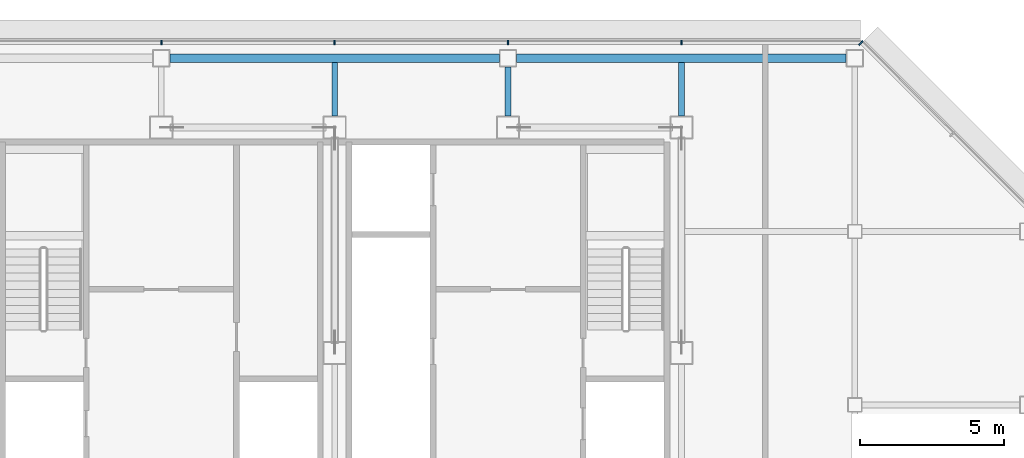
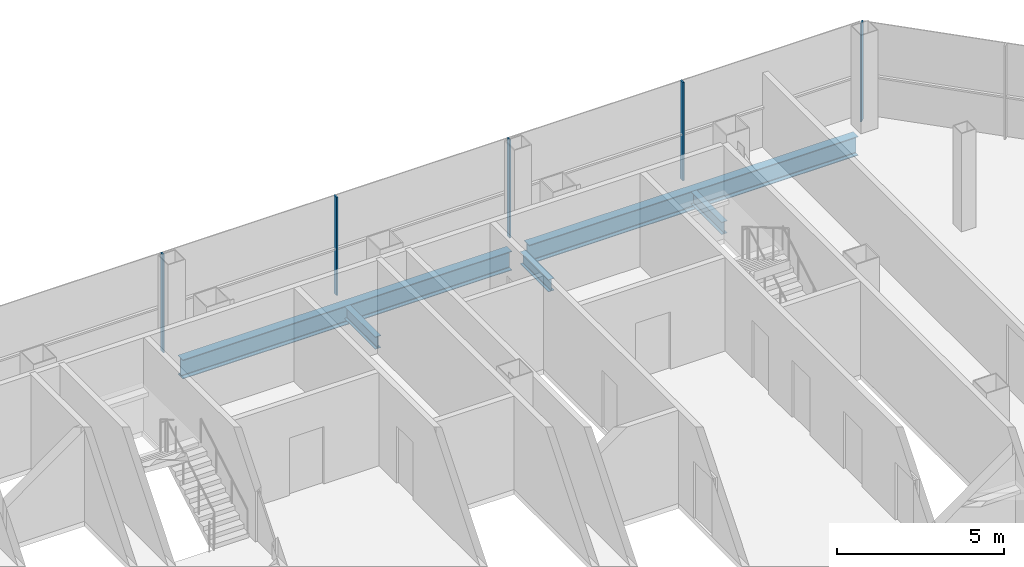
# One storey, part 16 of 28: 5 beams, 5 members, 2 elements without a shape of their own.
"""IFC4 building model written with IfcOpenShell, lengths in metres."""

import ifcopenshell
import ifcopenshell.guid

model = None  # the IFC model being written
_history = None  # IfcOwnerHistory: only IFC2X3 demands one
_inside = {}  # id of a spatial element -> (the spatial element, [elements in it])
_under = {}  # id of a project, library or spatial element -> (it, [spatial elements below it])
_declared = {}  # id of a project -> (the project, [libraries it declares])
_typed = {}  # id of a type object -> (the type object, [elements of that type])
_made_of = {}  # id of a material, layer set ... -> (it, [elements and type objects made of it])


def new_model(schema):
    """Start an empty IFC model of exactly this schema.

    Asked for "IFC4X3", IfcOpenShell would pick the latest addendum, in which some entities
    have other attributes; the version numbers below select the first issue.
    IFC2X3 requires an IfcOwnerHistory on every rooted entity: one is made here for all.
    """
    global model, _history
    if schema == "IFC4X3":
        model = ifcopenshell.file(schema_version=(4, 3, 0, 0))
    else:
        model = ifcopenshell.file(schema=schema)
    _inside.clear()
    _under.clear()
    _declared.clear()
    _typed.clear()
    _made_of.clear()
    _history = None
    if model.schema == "IFC2X3":
        org = make("IfcOrganization", Name="unknown")
        user = make(
            "IfcPersonAndOrganization",
            ThePerson=make("IfcPerson", FamilyName="unknown"),
            TheOrganization=org,
        )
        app = make(
            "IfcApplication",
            ApplicationDeveloper=org,
            Version="unknown",
            ApplicationFullName="unknown",
            ApplicationIdentifier="unknown",
        )
        _history = make(
            "IfcOwnerHistory",
            OwningUser=user,
            OwningApplication=app,
            ChangeAction="ADDED",
            CreationDate=0,
        )
    return model


def make(cls, **values):
    """One entity of the class cls with the attributes given. An attribute that is None is left unset."""
    return model.create_entity(
        cls, **{name: value for name, value in values.items() if value is not None}
    )


def rooted(cls, **values):
    """An entity with a GlobalId (a new one), such as an element, a storey or a relation."""
    return make(cls, GlobalId=ifcopenshell.guid.new(), OwnerHistory=_history, **values)


def si_unit(unit_type, name, prefix=None):
    """IfcSIUnit, for example si_unit("LENGTHUNIT", "METRE", prefix="MILLI")."""
    return make("IfcSIUnit", UnitType=unit_type, Prefix=prefix, Name=name)


def assignment(units):
    """IfcUnitAssignment: the units of a project."""
    return None if units is None else make("IfcUnitAssignment", Units=units)


def point(xyz):
    """IfcCartesianPoint."""
    return None if xyz is None else make("IfcCartesianPoint", Coordinates=xyz)


def direction(xyz):
    """IfcDirection."""
    return None if xyz is None else make("IfcDirection", DirectionRatios=xyz)


def frame(location, z_axis=None, x_axis=None):
    """IfcAxis2Placement3D, a coordinate frame: its origin and axes. An axis left out is left unset."""
    return make(
        "IfcAxis2Placement3D",
        Location=point(location),
        Axis=direction(z_axis),
        RefDirection=direction(x_axis),
    )


def frame_2d(location, x_axis=None):
    """IfcAxis2Placement2D, a coordinate frame in the plane: its origin and x axis."""
    return make(
        "IfcAxis2Placement2D", Location=point(location), RefDirection=direction(x_axis)
    )


def origin():
    """The frame at (0, 0, 0) with its axes left unset."""
    return frame((0.0, 0.0, 0.0))


def origin_2d():
    """The frame at (0, 0) in the plane with its x axis left unset."""
    return frame_2d((0.0, 0.0))


def place(relative_to, where):
    """IfcLocalPlacement: puts the frame where relative to a parent placement (None: the world)."""
    return make(
        "IfcLocalPlacement", PlacementRelTo=relative_to, RelativePlacement=where
    )


def context(
    kind, dimensions, precision=None, world=None, true_north=None, identifier=None
):
    """IfcGeometricRepresentationContext, for example the 3D "Model" context."""
    return make(
        "IfcGeometricRepresentationContext",
        ContextIdentifier=identifier,
        ContextType=kind,
        CoordinateSpaceDimension=dimensions,
        Precision=precision,
        WorldCoordinateSystem=world,
        TrueNorth=true_north,
    )


def subcontext(parent, identifier, kind, view, scale=None):
    """IfcGeometricRepresentationSubContext, for example "Body" below "Model"."""
    return make(
        "IfcGeometricRepresentationSubContext",
        ContextIdentifier=identifier,
        ContextType=kind,
        ParentContext=parent,
        TargetScale=scale,
        TargetView=view,
    )


def project(units=None, contexts=None):
    """IfcProject with its units and contexts."""
    return rooted(
        "IfcProject",
        Name="project",
        RepresentationContexts=contexts,
        UnitsInContext=assignment(units),
    )


def spatial(cls, under=None, at=None, **own):
    """A site, building, storey or space (cls), placed at a placement, below another one or the project."""
    s = rooted(cls, ObjectPlacement=at, **own)
    if under is not None:
        _under.setdefault(under.id(), (under, []))[1].append(s)
    return s


def profile(cls, at=None, kind="AREA", **sizes):
    """A parametric profile (cls). Its sizes go by their IFC names, for example OverallWidth=200.0."""
    return make(cls, ProfileType=kind, Position=at, **sizes)


def rectangle(**sizes):
    """IfcRectangleProfileDef."""
    return profile("IfcRectangleProfileDef", **sizes)


def i_section(**sizes):
    """IfcIShapeProfileDef."""
    return profile("IfcIShapeProfileDef", **sizes)


def extrude(swept, where, along, depth):
    """IfcExtrudedAreaSolid: the profile swept, set in the frame where, extruded along a direction by depth."""
    return make(
        "IfcExtrudedAreaSolid",
        SweptArea=swept,
        Position=where,
        ExtrudedDirection=direction(along),
        Depth=depth,
    )


def shape(context_of_items, identifier, shape_type, items):
    """IfcShapeRepresentation: the items that make up one representation, for example the "Body"."""
    return make(
        "IfcShapeRepresentation",
        ContextOfItems=context_of_items,
        RepresentationIdentifier=identifier,
        RepresentationType=shape_type,
        Items=items,
    )


def material(Name=None, Category=None):
    """IfcMaterial."""
    return make("IfcMaterial", Name=Name, Category=Category)


def material_profile(
    of_material, cross_section, Name=None, Category=None, Priority=None
):
    """IfcMaterialProfile: a cross section and its material."""
    return make(
        "IfcMaterialProfile",
        Name=Name,
        Material=of_material,
        Profile=cross_section,
        Priority=Priority,
        Category=Category,
    )


def profile_set(profiles, Name=None, composite=None):
    """IfcMaterialProfileSet."""
    return make(
        "IfcMaterialProfileSet",
        Name=Name,
        MaterialProfiles=profiles,
        CompositeProfile=composite,
    )


def made_of(thing, what):
    """Note that an element or type object is made of a material, layer set ...; save() writes the relation."""
    if what is not None:
        _made_of.setdefault(what.id(), (what, []))[1].append(thing)
    return thing


def type_object(cls, material=None, **own):
    """A type object (cls), such as IfcWallType, which elements share."""
    return made_of(rooted(cls, **own), material)


def element(
    cls,
    number,
    at=None,
    inside=None,
    cuts=None,
    type_object=None,
    material=None,
    context=None,
    identifier="Body",
    shape_type=None,
    held_by="IfcProductDefinitionShape",
    body=None,
    shapes=None,
    **own,
):
    """One element of the class cls, such as IfcWall. Its Tag is "e" and its number.

    at: its placement. inside: the storey or other place that contains it. cuts: it is an
    opening in that element (IfcRelVoidsElement). A single representation is given by context,
    identifier, shape_type and body (its items); several are given by shapes. held_by: the class
    of the entity that holds the representations. save() writes the other relations.
    """
    e = rooted(cls, Tag="e%d" % number, ObjectPlacement=at, **own)
    if body is not None:
        shapes = [shape(context, identifier, shape_type, body)]
    if shapes is not None:
        e.Representation = make(held_by, Representations=shapes)
    if inside is not None:
        _inside.setdefault(inside.id(), (inside, []))[1].append(e)
    if cuts is not None:
        rooted(
            "IfcRelVoidsElement", RelatingBuildingElement=cuts, RelatedOpeningElement=e
        )
    if type_object is not None:
        _typed.setdefault(type_object.id(), (type_object, []))[1].append(e)
    return made_of(e, material)


def aggregate(whole, parts):
    """IfcRelAggregates: a whole, such as a stair, and the parts it consists of."""
    return rooted("IfcRelAggregates", RelatingObject=whole, RelatedObjects=parts)


def save(model, path):
    """Write the relations noted so far, then the file.

    IfcRelAggregates (storeys below a building ...), IfcRelContainedInSpatialStructure (elements
    in a storey), IfcRelDefinesByType, IfcRelAssociatesMaterial and IfcRelDeclares: one each for
    every whole, place, type object, material and project.
    """
    for whole, parts in _under.values():
        aggregate(whole, parts)
    for where, things in _inside.values():
        rooted(
            "IfcRelContainedInSpatialStructure",
            RelatedElements=things,
            RelatingStructure=where,
        )
    for kind, things in _typed.values():
        rooted("IfcRelDefinesByType", RelatedObjects=things, RelatingType=kind)
    for what, things in _made_of.values():
        rooted("IfcRelAssociatesMaterial", RelatedObjects=things, RelatingMaterial=what)
    for by, libraries in _declared.values():
        rooted("IfcRelDeclares", RelatingContext=by, RelatedDefinitions=libraries)
    model.write(path)


model = new_model("IFC4")

# Units and contexts
model_context = context("Model", 3, precision=1e-05, world=origin(), true_north=direction((0.0, 1.0)))
body_context = subcontext(model_context, "Body", "Model", "MODEL_VIEW")
ifc_project = project(units=[si_unit("LENGTHUNIT", "METRE"), si_unit("AREAUNIT", "SQUARE_METRE"), si_unit("VOLUMEUNIT", "CUBIC_METRE"), si_unit("PLANEANGLEUNIT", "RADIAN"), si_unit("MASSUNIT", "GRAM", prefix="KILO")], contexts=[model_context])

# Site, building, storey
site_placement = place(None, origin())
site = spatial("IfcSite", under=ifc_project, at=site_placement, CompositionType="ELEMENT")
building_placement = place(site_placement, origin())
building = spatial("IfcBuilding", under=site, at=building_placement, Name="Sorahane Residences", CompositionType="ELEMENT")
storey_placement = place(building_placement, frame((0.0, 0.0, 250.39990234375)))
storey = spatial("IfcBuildingStorey", under=building, at=storey_placement, Name="L59", CompositionType="ELEMENT", Elevation=250.39990234375)

# Curtain wall, members
ifc_material_1 = material(Name="Dark low-e glass and black anodised aluminium", Category="aluminium")
curtain_wall_type_1 = type_object("IfcCurtainWallType", Name="Curtain wall CW-1 Typical unitised wall", PredefinedType="NOTDEFINED", material=ifc_material_1)
curtain_wall_1_placement = place(storey_placement, origin())
curtain_wall_1 = element("IfcCurtainWall", 1, at=curtain_wall_1_placement, inside=storey, type_object=curtain_wall_type_1, Name="CW-1 curtain wall L59 N1", PredefinedType="NOTDEFINED")
ifc_material_2 = material(Name="Black anodised aluminium", Category="aluminium")
ifc_material_profile_1 = material_profile(ifc_material_2, rectangle(XDim=0.159912109375, YDim=0.050048828125, at=origin_2d()), Name="Curtain wall mullion CW-1 black anodised aluminium 50x160")
ifc_profile_set_1 = profile_set([ifc_material_profile_1], Name="Black anodised aluminium")
member_type_1 = type_object("IfcMemberType", Name="Curtain wall mullion CW-1 black anodised aluminium 50x160", PredefinedType="MULLION", material=ifc_profile_set_1)
member_1_placement = place(storey_placement, frame((42.0, 48.5400390625, -0.179931640625), z_axis=(0.0, 0.0, 1.0), x_axis=(0.0, 1.0, 0.0)))
member_1 = element("IfcMember", 2, at=member_1_placement, type_object=member_type_1, Name="CW-1 mullion L59 N1.2", PredefinedType="MULLION", context=body_context, shape_type="SweptSolid", body=[
    extrude(rectangle(XDim=0.159912109375, YDim=0.050048828125, at=origin_2d()), origin(), (0.0, 0.0, 1.0), 3.60009765625),
])
member_2_placement = place(storey_placement, frame((36.0, 48.5400390625, -0.179931640625), z_axis=(0.0, 0.0, 1.0), x_axis=(0.0, 1.0, 0.0)))
member_2 = element("IfcMember", 3, at=member_2_placement, type_object=member_type_1, Name="CW-1 mullion L59 N1.3", PredefinedType="MULLION", context=body_context, shape_type="SweptSolid", body=[
    extrude(rectangle(XDim=0.159912109375, YDim=0.050048828125, at=origin_2d()), origin(), (0.0, 0.0, 1.0), 3.60009765625),
])
member_3_placement = place(storey_placement, frame((30.0, 48.5400390625, -0.179931640625), z_axis=(0.0, 0.0, 1.0), x_axis=(0.0, 1.0, 0.0)))
member_3 = element("IfcMember", 4, at=member_3_placement, type_object=member_type_1, Name="CW-1 mullion L59 N1.4", PredefinedType="MULLION", context=body_context, shape_type="SweptSolid", body=[
    extrude(rectangle(XDim=0.159912109375, YDim=0.050048828125, at=origin_2d()), origin(), (0.0, 0.0, 1.0), 3.60009765625),
])
member_4_placement = place(storey_placement, frame((24.0, 48.5400390625, -0.179931640625), z_axis=(0.0, 0.0, 1.0), x_axis=(0.0, 1.0, 0.0)))
member_4 = element("IfcMember", 5, at=member_4_placement, type_object=member_type_1, Name="CW-1 mullion L59 N1.5", PredefinedType="MULLION", context=body_context, shape_type="SweptSolid", body=[
    extrude(rectangle(XDim=0.159912109375, YDim=0.050048828125, at=origin_2d()), origin(), (0.0, 0.0, 1.0), 3.60009765625),
])
aggregate(curtain_wall_1, [member_1, member_2, member_3, member_4])

# Curtain wall, member
ifc_material_3 = material(Name="Dark low-e glass and black anodised aluminium", Category="aluminium")
curtain_wall_type_2 = type_object("IfcCurtainWallType", Name="Curtain wall CW-2 Chamfer unitised wall", PredefinedType="NOTDEFINED", material=ifc_material_3)
curtain_wall_2_placement = place(storey_placement, origin())
curtain_wall_2 = element("IfcCurtainWall", 6, at=curtain_wall_2_placement, inside=storey, type_object=curtain_wall_type_2, Name="CW-2 curtain wall L59 NE1", PredefinedType="NOTDEFINED")
ifc_material_4 = material(Name="Black anodised aluminium", Category="aluminium")
ifc_material_profile_2 = material_profile(ifc_material_4, rectangle(XDim=0.199951171875, YDim=0.050048828125, at=origin_2d()), Name="Curtain wall mullion CW-2 black anodised aluminium 50x200")
ifc_profile_set_2 = profile_set([ifc_material_profile_2], Name="Black anodised aluminium")
member_type_2 = type_object("IfcMemberType", Name="Curtain wall mullion CW-2 black anodised aluminium 50x200", PredefinedType="MULLION", material=ifc_profile_set_2)
member_5_placement = place(storey_placement, frame((48.209716796875, 48.525634765625, -0.179931640625), z_axis=(0.0, 0.0, 1.0), x_axis=(0.707106781187, 0.707106781187, 0.0)))
member_5 = element("IfcMember", 7, at=member_5_placement, type_object=member_type_2, Name="CW-2 mullion L59 NE1.3", PredefinedType="MULLION", context=body_context, shape_type="SweptSolid", body=[
    extrude(rectangle(XDim=0.199951171875, YDim=0.050048828125, at=origin_2d()), origin(), (0.0, 0.0, 1.0), 3.60009765625),
])
aggregate(curtain_wall_2, [member_5])

# Beams
ifc_material_5 = material(Name="Steel Q355B", Category="steel")
ifc_material_profile_3 = material_profile(ifc_material_5, i_section(OverallWidth=0.199951171875, OverallDepth=0.449951171875, WebThickness=0.009033203125, FlangeThickness=0.013916015625, FilletRadius=0.02001953125, at=origin_2d()), Name="HN 450x200x9x14")
ifc_profile_set_3 = profile_set([ifc_material_profile_3], Name="Steel Q355B")
beam_type_1 = type_object("IfcBeamType", Name="Steel floor beam HN 450x200x9x14 Q355B", PredefinedType="BEAM", material=ifc_profile_set_3)
beam_1_placement = place(storey_placement, frame((30.0, 46.0, -0.40478515625), z_axis=(0.0, 1.0, 0.0), x_axis=(-1.0, 0.0, 0.0)))
element("IfcBeam", 8, at=beam_1_placement, inside=storey, type_object=beam_type_1, Name="Beam L59 049", PredefinedType="BEAM", context=body_context, shape_type="SweptSolid", body=[
    extrude(i_section(OverallWidth=0.199951171875, OverallDepth=0.449951171875, WebThickness=0.009033203125, FlangeThickness=0.013916015625, FilletRadius=0.02001953125, at=origin_2d()), origin(), (0.0, 0.0, 1.0), 1.85009765625),
])
beam_2_placement = place(storey_placement, frame((36.0, 46.0, -0.40478515625), z_axis=(0.0, 1.0, 0.0), x_axis=(-1.0, 0.0, 0.0)))
element("IfcBeam", 9, at=beam_2_placement, inside=storey, type_object=beam_type_1, Name="Beam L59 051", PredefinedType="BEAM", context=body_context, shape_type="SweptSolid", body=[
    extrude(i_section(OverallWidth=0.199951171875, OverallDepth=0.449951171875, WebThickness=0.009033203125, FlangeThickness=0.013916015625, FilletRadius=0.02001953125, at=origin_2d()), origin(), (0.0, 0.0, 1.0), 1.699951171875),
])
beam_3_placement = place(storey_placement, frame((42.0, 46.0, -0.40478515625), z_axis=(0.0, 1.0, 0.0), x_axis=(-1.0, 0.0, 0.0)))
element("IfcBeam", 10, at=beam_3_placement, inside=storey, type_object=beam_type_1, Name="Beam L59 057", PredefinedType="BEAM", context=body_context, shape_type="SweptSolid", body=[
    extrude(i_section(OverallWidth=0.199951171875, OverallDepth=0.449951171875, WebThickness=0.009033203125, FlangeThickness=0.013916015625, FilletRadius=0.02001953125, at=origin_2d()), origin(), (0.0, 0.0, 1.0), 1.85009765625),
])
ifc_material_6 = material(Name="Steel Q355B", Category="steel")
ifc_material_profile_4 = material_profile(ifc_material_6, i_section(OverallWidth=0.300048828125, OverallDepth=0.699951171875, WebThickness=0.012939453125, FlangeThickness=0.02392578125, FilletRadius=0.028076171875, at=origin_2d()), Name="HN 700x300x13x24")
ifc_profile_set_4 = profile_set([ifc_material_profile_4], Name="Steel Q355B")
beam_type_2 = type_object("IfcBeamType", Name="Steel floor beam HN 700x300x13x24 Q355B", PredefinedType="BEAM", material=ifc_profile_set_4)
for number, where, z_axis, x_axis, name in (
    (11, (24.300048828125, 48.0, -0.52978515625), (1.0, 0.0, 0.0), (0.0, 1.0, 0.0), "Beam L59 018"),
    (12, (36.300048828125, 48.0, -0.52978515625), (1.0, 0.0, 0.0), (0.0, 1.0, 0.0), "Beam L59 019"),
):
    element("IfcBeam", number, at=place(storey_placement, frame(where, z_axis=z_axis, x_axis=x_axis)), inside=storey, type_object=beam_type_2, Name=name, PredefinedType="BEAM", context=body_context, shape_type="SweptSolid", body=[
        extrude(i_section(OverallWidth=0.300048828125, OverallDepth=0.699951171875, WebThickness=0.012939453125, FlangeThickness=0.02392578125, FilletRadius=0.028076171875, at=origin_2d()), origin(), (0.0, 0.0, 1.0), 11.39990234375),
    ])

save(model, "model.ifc")
